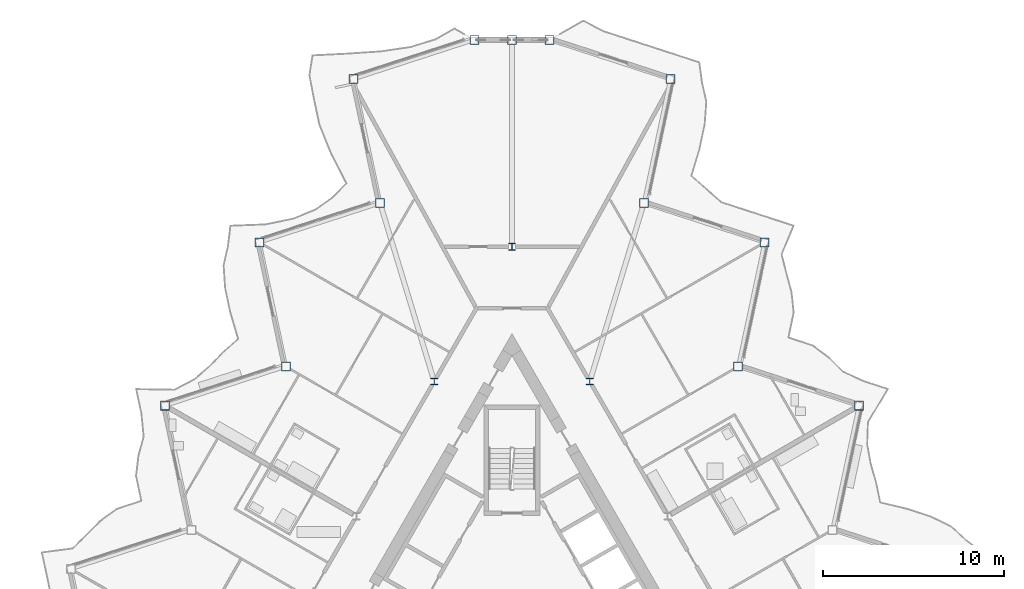
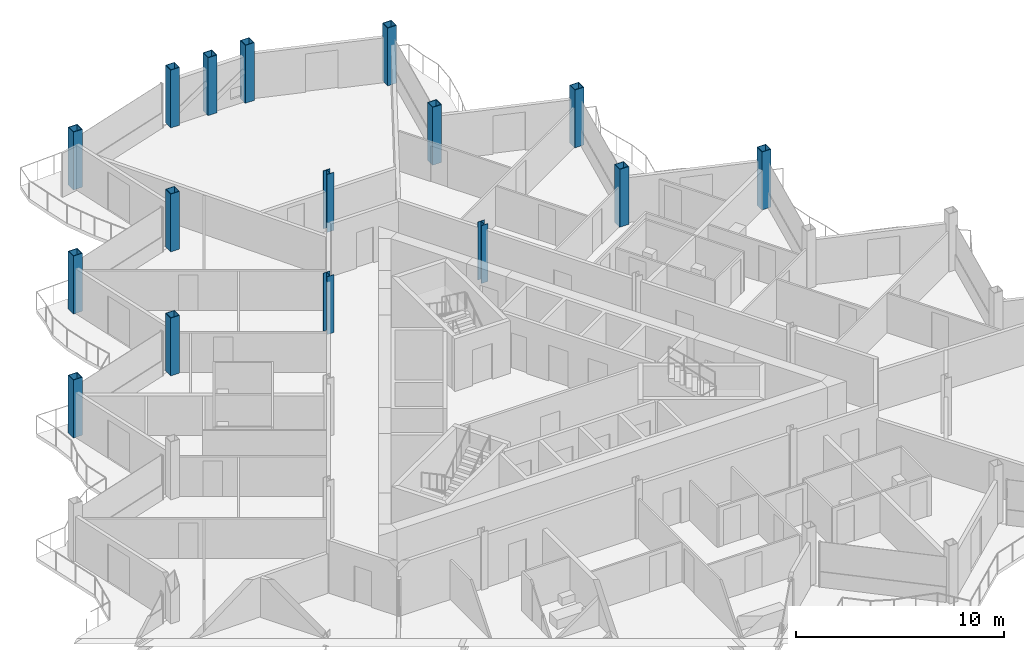
# One storey, part 3 of 25: 16 columns.
"""IFC4 building model written with IfcOpenShell, lengths in metres."""

from ifc_helpers import new_model, si_unit, direction, frame, origin, origin_2d, place, context, subcontext, project, spatial, hollow_rectangle, i_section, extrude, material, material_profile, profile_set, type_object, element, save


model = new_model("IFC4")

# Units and contexts
model_context = context("Model", 3, precision=1e-05, world=origin(), true_north=direction((0.0, 1.0)))
body_context = subcontext(model_context, "Body", "Model", "MODEL_VIEW")
ifc_project = project(units=[si_unit("LENGTHUNIT", "METRE"), si_unit("AREAUNIT", "SQUARE_METRE"), si_unit("VOLUMEUNIT", "CUBIC_METRE"), si_unit("PLANEANGLEUNIT", "RADIAN"), si_unit("MASSUNIT", "GRAM", prefix="KILO")], contexts=[model_context])

# Site, building, storey
site_placement = place(None, origin())
site = spatial("IfcSite", under=ifc_project, at=site_placement, CompositionType="ELEMENT")
building_placement = place(site_placement, origin())
building = spatial("IfcBuilding", under=site, at=building_placement, Name="Cormorant Prow Tower", CompositionType="ELEMENT")
storey_placement = place(building_placement, frame((0.0, 0.0, 395.0)))
storey = spatial("IfcBuildingStorey", under=building, at=storey_placement, Name="L90", CompositionType="ELEMENT", Elevation=395.0)

# Columns
ifc_material_1 = material(Name="Structural steel ASTM A572 Gr 50", Category="steel")
ifc_material_profile_1 = material_profile(ifc_material_1, hollow_rectangle(XDim=0.5, YDim=0.5, WallThickness=0.030029296875, at=origin_2d()), Name="Box 500x500x30")
ifc_profile_set_1 = profile_set([ifc_material_profile_1], Name="Structural steel ASTM A572 Gr 50")
column_type_1 = type_object("IfcColumnType", Name="Perimeter box column 500x500x30", PredefinedType="COLUMN", material=ifc_profile_set_1)
for number, where, z_axis, x_axis, name in (
    (1, (19.128662109375, 11.0439453125, 0.0), (0.0, 0.0, 1.0), (1.0, 0.0, 0.0), "Perimeter column C7 at ENE05 L90"),
    (2, (12.473876953125, 13.206298828125, 0.0), (0.0, 0.0, 1.0), (1.0, 0.0, 0.0), "Perimeter column C7 at ENE06 L90"),
    (3, (13.9287109375, 20.050537109375, 0.0), (0.0, 0.0, 1.0), (1.0, 0.0, 0.0), "Perimeter column C7 at ENE07 L90"),
    (4, (7.273681640625, 22.212890625, 0.0), (0.0, 0.0, 1.0), (1.0, 0.0, 0.0), "Perimeter column C7 at ENE08 L90"),
    (5, (8.728515625, 29.05712890625, 0.0), (0.0, 0.0, 1.0), (1.0, 0.0, 0.0), "Perimeter column C7 at ENE09 L90"),
    (6, (2.07373046875, 31.219482421875, 0.0), (0.0, 0.0, 1.0), (1.0, 0.0, 0.0), "Perimeter column C7 at N00 L90"),
    (7, (0.0, 31.219482421875, 0.0), (0.0, 0.0, 1.0), (1.0, 0.0, 0.0), "Perimeter column C7 at N01 L90"),
    (8, (-2.07373046875, 31.219482421875, 0.0), (0.0, 0.0, 1.0), (1.0, 0.0, 0.0), "Perimeter column C7 at WNW00 L90"),
    (9, (-8.728515625, 29.05712890625, 0.0), (0.0, 0.0, 1.0), (1.0, 0.0, 0.0), "Perimeter column C7 at WNW01 L90"),
    (10, (-7.273681640625, 22.212890625, 0.0), (0.0, 0.0, 1.0), (1.0, 0.0, 0.0), "Perimeter column C7 at WNW02 L90"),
    (11, (-13.9287109375, 20.050537109375, 0.0), (0.0, 0.0, 1.0), (1.0, 0.0, 0.0), "Perimeter column C7 at WNW03 L90"),
    (12, (-12.473876953125, 13.206298828125, 0.0), (0.0, 0.0, 1.0), (1.0, 0.0, 0.0), "Perimeter column C7 at WNW04 L90"),
    (13, (-19.128662109375, 11.0439453125, 0.0), (0.0, 0.0, 1.0), (1.0, 0.0, 0.0), "Perimeter column C7 at WNW05 L90"),
):
    element("IfcColumn", number, at=place(storey_placement, frame(where, z_axis=z_axis, x_axis=x_axis)), inside=storey, type_object=column_type_1, Name=name, PredefinedType="COLUMN", context=body_context, shape_type="SweptSolid", body=[
        extrude(hollow_rectangle(XDim=0.5, YDim=0.5, WallThickness=0.030029296875, at=origin_2d()), origin(), (0.0, 0.0, 1.0), 3.39990234375),
    ])
ifc_material_2 = material(Name="Structural steel ASTM A992 Gr 50", Category="steel")
ifc_material_profile_2 = material_profile(ifc_material_2, i_section(OverallWidth=0.3740234375, OverallDepth=0.372314453125, WebThickness=0.016357421875, FlangeThickness=0.026123046875, at=origin_2d()), Name="W14x132")
ifc_profile_set_2 = profile_set([ifc_material_profile_2], Name="Structural steel ASTM A992 Gr 50")
column_type_2 = type_object("IfcColumnType", Name="Ring column W14x132", PredefinedType="COLUMN", material=ifc_profile_set_2)
for number, where, z_axis, x_axis, name in (
    (14, (0.0, 19.81103515625, 0.0), (0.0, 0.0, 1.0), (1.0, 0.0, 0.0), "Ring column 1 L90"),
    (15, (-4.289306640625, 12.3818359375, 0.0), (0.0, 0.0, 1.0), (1.0, 0.0, 0.0), "Ring column 2 L90"),
    (16, (4.289306640625, 12.3818359375, 0.0), (0.0, 0.0, 1.0), (1.0, 0.0, 0.0), "Ring column 12 L90"),
):
    element("IfcColumn", number, at=place(storey_placement, frame(where, z_axis=z_axis, x_axis=x_axis)), inside=storey, type_object=column_type_2, Name=name, PredefinedType="COLUMN", context=body_context, shape_type="SweptSolid", body=[
        extrude(i_section(OverallWidth=0.3740234375, OverallDepth=0.372314453125, WebThickness=0.016357421875, FlangeThickness=0.026123046875, at=origin_2d()), origin(), (0.0, 0.0, 1.0), 3.39990234375),
    ])

save(model, "model.ifc")
